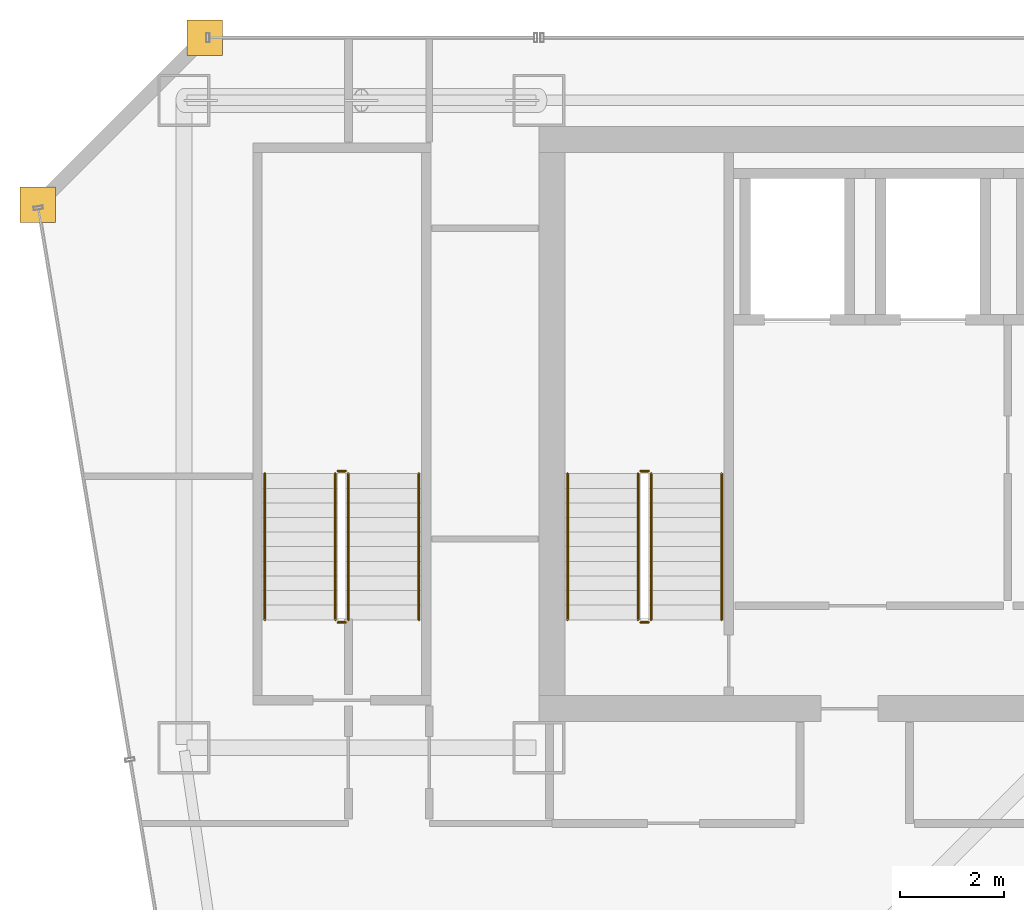
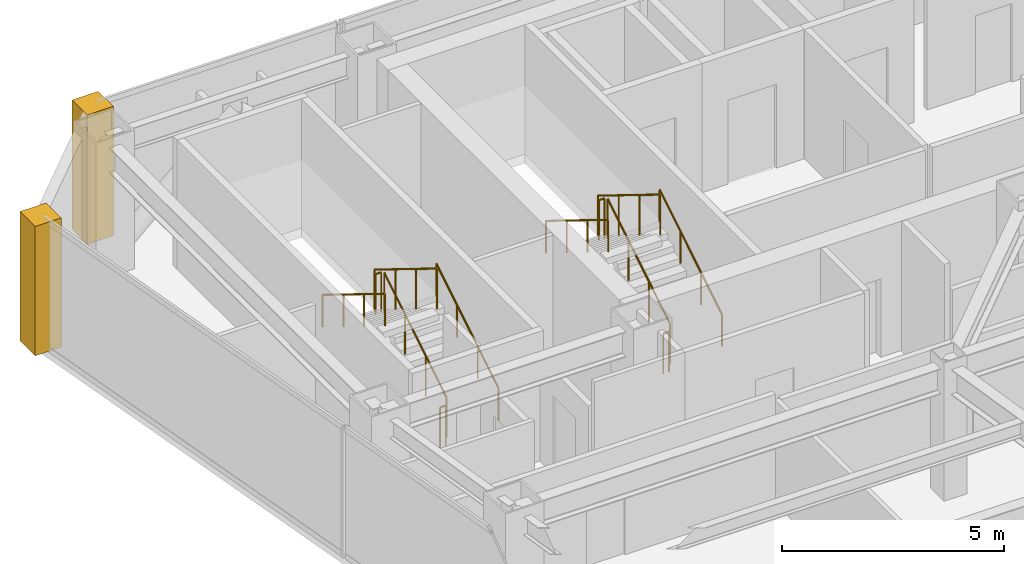
# One storey, part 36 of 37: 12 railings, 2 coverings.
"""IFC4 building model written with IfcOpenShell, lengths in metres."""

from ifc_helpers import new_model, si_unit, direction, frame, origin, origin_2d, place, context, subcontext, project, spatial, polyline, circle, outline, extrude, material, layer, layer_set, type_object, element, save


model = new_model("IFC4")

# Units and contexts
model_context = context("Model", 3, precision=1e-05, world=origin(), true_north=direction((0.0, 1.0)))
body_context = subcontext(model_context, "Body", "Model", "MODEL_VIEW")
ifc_project = project(units=[si_unit("LENGTHUNIT", "METRE"), si_unit("AREAUNIT", "SQUARE_METRE"), si_unit("VOLUMEUNIT", "CUBIC_METRE"), si_unit("PLANEANGLEUNIT", "RADIAN"), si_unit("MASSUNIT", "GRAM", prefix="KILO")], contexts=[model_context])

# Site, building, storey
site_placement = place(None, origin())
site = spatial("IfcSite", under=ifc_project, at=site_placement, CompositionType="ELEMENT")
building_placement = place(site_placement, origin())
building = spatial("IfcBuilding", under=site, at=building_placement, Name="Saevonmaru Cultural Tower", CompositionType="ELEMENT")
storey_placement = place(building_placement, frame((0.0, 0.0, 141.0)))
storey = spatial("IfcBuildingStorey", under=building, at=storey_placement, Name="L30", CompositionType="ELEMENT", Elevation=141.0)

# Coverings
ifc_material_1 = material(Name="Satin Bronze Anodised Aluminium", Category="aluminium")
ifc_layer = layer(ifc_material_1, 0.679931640625, Name="Satin Bronze Anodised Aluminium")
ifc_layer_set = layer_set([ifc_layer], Name="Satin Bronze Anodised Aluminium")
covering_type = type_object("IfcCoveringType", Name="CV-CORNER-CLAD", PredefinedType="CLADDING", material=ifc_layer_set)
covering_1_placement = place(storey_placement, origin())
element("IfcCovering", 1, at=covering_1_placement, inside=storey, type_object=covering_type, Name="L30 Tower Bronze Corner Cladding Pier 11", PredefinedType="CLADDING", context=body_context, shape_type="SweptSolid", body=[
    extrude(outline(polyline([(6.860107421875, 55.659912109375), (7.5400390625, 55.659912109375), (7.5400390625, 56.340087890625), (6.860107421875, 56.340087890625), (6.860107421875, 55.659912109375)])), origin(), (0.0, 0.0, 1.0), 3.550048828125),
])
covering_2_placement = place(storey_placement, origin())
element("IfcCovering", 2, at=covering_2_placement, inside=storey, type_object=covering_type, Name="L30 Tower Bronze Corner Cladding Pier 12", PredefinedType="CLADDING", context=body_context, shape_type="SweptSolid", body=[
    extrude(outline(polyline([(3.659912109375, 52.4599609375), (4.340087890625, 52.4599609375), (4.340087890625, 53.139892578125), (3.659912109375, 53.139892578125), (3.659912109375, 52.4599609375)])), origin(), (0.0, 0.0, 1.0), 3.550048828125),
])

# Railings
ifc_material_2 = material(Name="Architectural Painted Steel", Category="steel")
railing_type_1 = type_object("IfcRailingType", Name="RL-STAIR-GUARD", PredefinedType="GUARDRAIL", material=ifc_material_2)
railing_1_placement = place(storey_placement, frame((15.75, 44.85009765625, 0.172607421875)))
element("IfcRailing", 3, at=railing_1_placement, inside=storey, type_object=railing_type_1, Name="L30 ST-1 stair guard 1", PredefinedType="GUARDRAIL", context=body_context, shape_type="SweptSolid", body=[
    extrude(circle(Radius=0.02392578125, at=origin_2d()), frame((0.0, 0.0, 1.09619140625), z_axis=(0.0, 0.851069175582, 0.525053576669), x_axis=(-1.0, 0.0, 0.0)), (0.0, 0.0, 1.0), 3.289794921875),
    extrude(circle(Radius=0.02099609375, at=origin_2d()), origin(), (0.0, 0.0, 1.0), 1.072021484375),
    extrude(circle(Radius=0.02099609375, at=origin_2d()), frame((0.0, 0.933349609375, 0.57568359375)), (0.0, 0.0, 1.0), 1.072021484375),
    extrude(circle(Radius=0.02099609375, at=origin_2d()), frame((0.0, 1.866455078125, 1.151611328125)), (0.0, 0.0, 1.0), 1.072021484375),
    extrude(circle(Radius=0.02099609375, at=origin_2d()), frame((0.0, 2.7998046875, 1.727294921875)), (0.0, 0.0, 1.0), 1.072021484375),
])
railing_2_placement = place(storey_placement, frame((15.699951171875, 47.699951171875, 1.89990234375)))
element("IfcRailing", 4, at=railing_2_placement, inside=storey, type_object=railing_type_1, Name="L30 ST-1 stair guard 2", PredefinedType="GUARDRAIL", context=body_context, shape_type="SweptSolid", body=[
    extrude(circle(Radius=0.02392578125, at=origin_2d()), frame((0.0, 0.0, 1.09619140625), z_axis=(-1.0, 0.0, 0.0), x_axis=(0.0, -1.0, 0.0)), (0.0, 0.0, 1.0), 0.14990234375),
    extrude(circle(Radius=0.02099609375, at=origin_2d()), origin(), (0.0, 0.0, 1.0), 1.072021484375),
    extrude(circle(Radius=0.02099609375, at=origin_2d()), frame((-0.14990234375, 0.0, 0.0)), (0.0, 0.0, 1.0), 1.072021484375),
])
railing_3_placement = place(storey_placement, frame((15.5, 47.64990234375, 2.07275390625)))
element("IfcRailing", 5, at=railing_3_placement, inside=storey, type_object=railing_type_1, Name="L30 ST-1 stair guard 3", PredefinedType="GUARDRAIL", context=body_context, shape_type="SweptSolid", body=[
    extrude(circle(Radius=0.02392578125, at=origin_2d()), frame((0.0, 0.0, 1.09619140625), z_axis=(0.0, -0.851069175582, 0.525053576669), x_axis=(1.0, 0.0, 0.0)), (0.0, 0.0, 1.0), 3.289794921875),
    extrude(circle(Radius=0.02099609375, at=origin_2d()), origin(), (0.0, 0.0, 1.0), 1.072021484375),
    extrude(circle(Radius=0.02099609375, at=origin_2d()), frame((0.0, -0.933349609375, 0.57568359375)), (0.0, 0.0, 1.0), 1.072021484375),
    extrude(circle(Radius=0.02099609375, at=origin_2d()), frame((0.0, -1.866455078125, 1.151611328125)), (0.0, 0.0, 1.0), 1.072021484375),
    extrude(circle(Radius=0.02099609375, at=origin_2d()), frame((0.0, -2.7998046875, 1.727294921875)), (0.0, 0.0, 1.0), 1.072021484375),
])
railing_4_placement = place(storey_placement, frame((15.699951171875, 44.800048828125, 0.0)))
element("IfcRailing", 6, at=railing_4_placement, inside=storey, type_object=railing_type_1, Name="L30 ST-1 stair guard 4", PredefinedType="GUARDRAIL", context=body_context, shape_type="SweptSolid", body=[
    extrude(circle(Radius=0.02392578125, at=origin_2d()), frame((0.0, 0.0, 1.09619140625), z_axis=(-1.0, 0.0, 0.0), x_axis=(0.0, -1.0, 0.0)), (0.0, 0.0, 1.0), 0.14990234375),
    extrude(circle(Radius=0.02099609375, at=origin_2d()), origin(), (0.0, 0.0, 1.0), 1.072021484375),
    extrude(circle(Radius=0.02099609375, at=origin_2d()), frame((-0.14990234375, 0.0, 0.0)), (0.0, 0.0, 1.0), 1.072021484375),
])
railing_5_placement = place(storey_placement, frame((9.949951171875, 44.85009765625, 0.172607421875)))
element("IfcRailing", 7, at=railing_5_placement, inside=storey, type_object=railing_type_1, Name="L30 ST-3 stair guard 1", PredefinedType="GUARDRAIL", context=body_context, shape_type="SweptSolid", body=[
    extrude(circle(Radius=0.02392578125, at=origin_2d()), frame((0.0, 0.0, 1.09619140625), z_axis=(0.0, 0.851069175582, 0.525053576669), x_axis=(-1.0, 0.0, 0.0)), (0.0, 0.0, 1.0), 3.289794921875),
    extrude(circle(Radius=0.02099609375, at=origin_2d()), origin(), (0.0, 0.0, 1.0), 1.072021484375),
    extrude(circle(Radius=0.02099609375, at=origin_2d()), frame((0.0, 0.933349609375, 0.57568359375)), (0.0, 0.0, 1.0), 1.072021484375),
    extrude(circle(Radius=0.02099609375, at=origin_2d()), frame((0.0, 1.866455078125, 1.151611328125)), (0.0, 0.0, 1.0), 1.072021484375),
    extrude(circle(Radius=0.02099609375, at=origin_2d()), frame((0.0, 2.7998046875, 1.727294921875)), (0.0, 0.0, 1.0), 1.072021484375),
])
railing_6_placement = place(storey_placement, frame((9.89990234375, 47.699951171875, 1.89990234375)))
element("IfcRailing", 8, at=railing_6_placement, inside=storey, type_object=railing_type_1, Name="L30 ST-3 stair guard 2", PredefinedType="GUARDRAIL", context=body_context, shape_type="SweptSolid", body=[
    extrude(circle(Radius=0.02392578125, at=origin_2d()), frame((0.0, 0.0, 1.09619140625), z_axis=(-1.0, 0.0, 0.0), x_axis=(0.0, -1.0, 0.0)), (0.0, 0.0, 1.0), 0.14990234375),
    extrude(circle(Radius=0.02099609375, at=origin_2d()), origin(), (0.0, 0.0, 1.0), 1.072021484375),
    extrude(circle(Radius=0.02099609375, at=origin_2d()), frame((-0.14990234375, 0.0, 0.0)), (0.0, 0.0, 1.0), 1.072021484375),
])
railing_7_placement = place(storey_placement, frame((9.699951171875, 47.64990234375, 2.07275390625)))
element("IfcRailing", 9, at=railing_7_placement, inside=storey, type_object=railing_type_1, Name="L30 ST-3 stair guard 3", PredefinedType="GUARDRAIL", context=body_context, shape_type="SweptSolid", body=[
    extrude(circle(Radius=0.02392578125, at=origin_2d()), frame((0.0, 0.0, 1.09619140625), z_axis=(0.0, -0.851069175582, 0.525053576669), x_axis=(1.0, 0.0, 0.0)), (0.0, 0.0, 1.0), 3.289794921875),
    extrude(circle(Radius=0.02099609375, at=origin_2d()), origin(), (0.0, 0.0, 1.0), 1.072021484375),
    extrude(circle(Radius=0.02099609375, at=origin_2d()), frame((0.0, -0.933349609375, 0.57568359375)), (0.0, 0.0, 1.0), 1.072021484375),
    extrude(circle(Radius=0.02099609375, at=origin_2d()), frame((0.0, -1.866455078125, 1.151611328125)), (0.0, 0.0, 1.0), 1.072021484375),
    extrude(circle(Radius=0.02099609375, at=origin_2d()), frame((0.0, -2.7998046875, 1.727294921875)), (0.0, 0.0, 1.0), 1.072021484375),
])
railing_8_placement = place(storey_placement, frame((9.89990234375, 44.800048828125, 0.0)))
element("IfcRailing", 10, at=railing_8_placement, inside=storey, type_object=railing_type_1, Name="L30 ST-3 stair guard 4", PredefinedType="GUARDRAIL", context=body_context, shape_type="SweptSolid", body=[
    extrude(circle(Radius=0.02392578125, at=origin_2d()), frame((0.0, 0.0, 1.09619140625), z_axis=(-1.0, 0.0, 0.0), x_axis=(0.0, -1.0, 0.0)), (0.0, 0.0, 1.0), 0.14990234375),
    extrude(circle(Radius=0.02099609375, at=origin_2d()), origin(), (0.0, 0.0, 1.0), 1.072021484375),
    extrude(circle(Radius=0.02099609375, at=origin_2d()), frame((-0.14990234375, 0.0, 0.0)), (0.0, 0.0, 1.0), 1.072021484375),
])
railing_type_2 = type_object("IfcRailingType", Name="RL-STAIR-HANDRAIL", PredefinedType="HANDRAIL", material=ifc_material_1)
railing_9_placement = place(storey_placement, frame((17.10009765625, 44.85009765625, 0.172607421875)))
element("IfcRailing", 11, at=railing_9_placement, inside=storey, type_object=railing_type_2, Name="L30 ST-1 stair handrail 1", PredefinedType="HANDRAIL", context=body_context, shape_type="SweptSolid", body=[
    extrude(circle(Radius=0.02392578125, at=origin_2d()), frame((0.0, 0.0, 0.8759765625), z_axis=(0.0, 0.851069175582, 0.525053576669), x_axis=(-1.0, 0.0, 0.0)), (0.0, 0.0, 1.0), 3.289794921875),
    extrude(circle(Radius=0.02099609375, at=origin_2d()), origin(), (0.0, 0.0, 1.0), 0.851806640625),
    extrude(circle(Radius=0.02099609375, at=origin_2d()), frame((0.0, 0.933349609375, 0.57568359375)), (0.0, 0.0, 1.0), 0.851806640625),
    extrude(circle(Radius=0.02099609375, at=origin_2d()), frame((0.0, 1.866455078125, 1.151611328125)), (0.0, 0.0, 1.0), 0.851806640625),
    extrude(circle(Radius=0.02099609375, at=origin_2d()), frame((0.0, 2.7998046875, 1.727294921875)), (0.0, 0.0, 1.0), 0.851806640625),
])
railing_10_placement = place(storey_placement, frame((14.14990234375, 47.64990234375, 2.07275390625)))
element("IfcRailing", 12, at=railing_10_placement, inside=storey, type_object=railing_type_2, Name="L30 ST-1 stair handrail 2", PredefinedType="HANDRAIL", context=body_context, shape_type="SweptSolid", body=[
    extrude(circle(Radius=0.02392578125, at=origin_2d()), frame((0.0, 0.0, 0.8759765625), z_axis=(0.0, -0.851069175582, 0.525053576669), x_axis=(1.0, 0.0, 0.0)), (0.0, 0.0, 1.0), 3.289794921875),
    extrude(circle(Radius=0.02099609375, at=origin_2d()), origin(), (0.0, 0.0, 1.0), 0.851806640625),
    extrude(circle(Radius=0.02099609375, at=origin_2d()), frame((0.0, -0.933349609375, 0.57568359375)), (0.0, 0.0, 1.0), 0.851806640625),
    extrude(circle(Radius=0.02099609375, at=origin_2d()), frame((0.0, -1.866455078125, 1.151611328125)), (0.0, 0.0, 1.0), 0.851806640625),
    extrude(circle(Radius=0.02099609375, at=origin_2d()), frame((0.0, -2.7998046875, 1.727294921875)), (0.0, 0.0, 1.0), 0.851806640625),
])
railing_11_placement = place(storey_placement, frame((11.300048828125, 44.85009765625, 0.172607421875)))
element("IfcRailing", 13, at=railing_11_placement, inside=storey, type_object=railing_type_2, Name="L30 ST-3 stair handrail 1", PredefinedType="HANDRAIL", context=body_context, shape_type="SweptSolid", body=[
    extrude(circle(Radius=0.02392578125, at=origin_2d()), frame((0.0, 0.0, 0.8759765625), z_axis=(0.0, 0.851069175582, 0.525053576669), x_axis=(-1.0, 0.0, 0.0)), (0.0, 0.0, 1.0), 3.289794921875),
    extrude(circle(Radius=0.02099609375, at=origin_2d()), origin(), (0.0, 0.0, 1.0), 0.851806640625),
    extrude(circle(Radius=0.02099609375, at=origin_2d()), frame((0.0, 0.933349609375, 0.57568359375)), (0.0, 0.0, 1.0), 0.851806640625),
    extrude(circle(Radius=0.02099609375, at=origin_2d()), frame((0.0, 1.866455078125, 1.151611328125)), (0.0, 0.0, 1.0), 0.851806640625),
    extrude(circle(Radius=0.02099609375, at=origin_2d()), frame((0.0, 2.7998046875, 1.727294921875)), (0.0, 0.0, 1.0), 0.851806640625),
])
railing_12_placement = place(storey_placement, frame((8.35009765625, 47.64990234375, 2.07275390625)))
element("IfcRailing", 14, at=railing_12_placement, inside=storey, type_object=railing_type_2, Name="L30 ST-3 stair handrail 2", PredefinedType="HANDRAIL", context=body_context, shape_type="SweptSolid", body=[
    extrude(circle(Radius=0.02392578125, at=origin_2d()), frame((0.0, 0.0, 0.8759765625), z_axis=(0.0, -0.851069175582, 0.525053576669), x_axis=(1.0, 0.0, 0.0)), (0.0, 0.0, 1.0), 3.289794921875),
    extrude(circle(Radius=0.02099609375, at=origin_2d()), origin(), (0.0, 0.0, 1.0), 0.851806640625),
    extrude(circle(Radius=0.02099609375, at=origin_2d()), frame((0.0, -0.933349609375, 0.57568359375)), (0.0, 0.0, 1.0), 0.851806640625),
    extrude(circle(Radius=0.02099609375, at=origin_2d()), frame((0.0, -1.866455078125, 1.151611328125)), (0.0, 0.0, 1.0), 0.851806640625),
    extrude(circle(Radius=0.02099609375, at=origin_2d()), frame((0.0, -2.7998046875, 1.727294921875)), (0.0, 0.0, 1.0), 0.851806640625),
])

save(model, "model.ifc")
